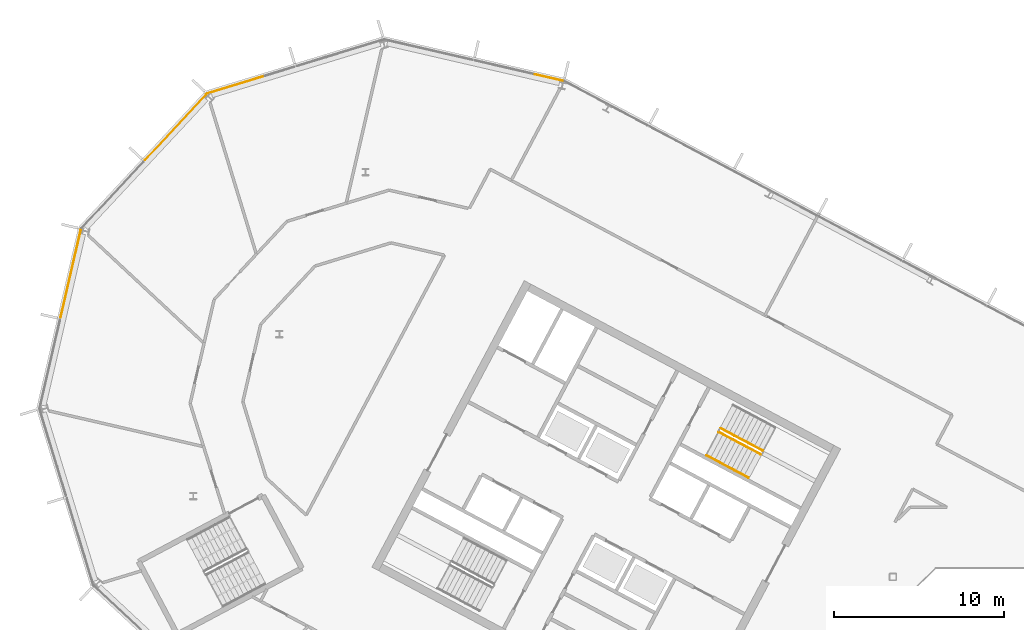
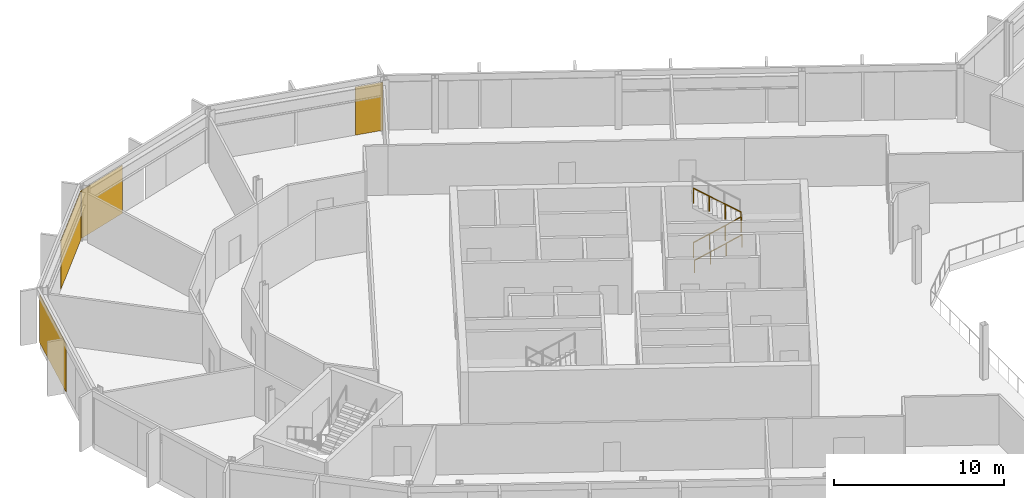
# One storey, part 24 of 30: 4 coverings, 3 railings, 4 elements without a shape of their own.
"""IFC4 building model written with IfcOpenShell, lengths in metres."""

from ifc_helpers import new_model, si_unit, direction, frame, origin, origin_2d, place, context, subcontext, project, spatial, polyline, rectangle, outline, extrude, material, layer, layer_set, type_object, element, aggregate, save


model = new_model("IFC4")

# Units and contexts
model_context = context("Model", 3, precision=1e-05, world=origin(), true_north=direction((0.0, 1.0)))
body_context = subcontext(model_context, "Body", "Model", "MODEL_VIEW")
ifc_project = project(units=[si_unit("LENGTHUNIT", "METRE"), si_unit("AREAUNIT", "SQUARE_METRE"), si_unit("VOLUMEUNIT", "CUBIC_METRE"), si_unit("PLANEANGLEUNIT", "RADIAN"), si_unit("MASSUNIT", "GRAM", prefix="KILO")], contexts=[model_context])

# Site, building, storey
site_placement = place(None, origin())
site = spatial("IfcSite", under=ifc_project, at=site_placement, CompositionType="ELEMENT")
building_placement = place(site_placement, origin())
building = spatial("IfcBuilding", under=site, at=building_placement, Name="Cormorant Relay Tower", CompositionType="ELEMENT")
storey_placement = place(building_placement, frame((0.0, 0.0, 258.0)))
storey = spatial("IfcBuildingStorey", under=building, at=storey_placement, Name="L57", CompositionType="ELEMENT", Elevation=258.0)

# Curtain wall, covering
ifc_material_1 = material(Name="Aluminium 6063-T6 anodised bronze", Category="aluminium")
ifc_layer_1 = layer(ifc_material_1, 0.199951171875)
ifc_layer_set_1 = layer_set([ifc_layer_1], Name="CW1 unitised bronze curtain wall with vertical fins")
curtain_wall_type = type_object("IfcCurtainWallType", Name="CW1 unitised bronze curtain wall with vertical fins", PredefinedType="NOTDEFINED", material=ifc_layer_set_1)
curtain_wall_1_placement = place(storey_placement, origin())
curtain_wall_1 = element("IfcCurtainWall", 1, at=curtain_wall_1_placement, inside=storey, type_object=curtain_wall_type, Name="CW1 curtain wall 10", PredefinedType="NOTDEFINED")
ifc_material_2 = material(Name="Pale bronze anodised aluminium insulated panel", Category="aluminium")
ifc_layer_2 = layer(ifc_material_2, 0.0400390625)
ifc_layer_set_2 = layer_set([ifc_layer_2], Name="CW1 pale bronze insulated panel 40")
covering_type = type_object("IfcCoveringType", Name="CW1 pale bronze insulated panel 40", PredefinedType="CLADDING", material=ifc_layer_set_2)
covering_1_placement = place(storey_placement, frame((-30.76318359375, 39.89404296875, 0.0), z_axis=(0.0, 0.0, 1.0), x_axis=(-0.974370064785, 0.224951054344, 0.0)))
covering_1 = element("IfcCovering", 2, at=covering_1_placement, type_object=covering_type, Name="CW1 panel S00", PredefinedType="CLADDING", context=body_context, shape_type="SweptSolid", body=[
    extrude(rectangle(XDim=1.685302734375, YDim=0.0400390625, at=origin_2d()), origin(), (0.0, 0.0, 1.0), 3.449951171875),
])
aggregate(curtain_wall_1, [covering_1])

curtain_wall_2_placement = place(storey_placement, origin())
curtain_wall_2 = element("IfcCurtainWall", 3, at=curtain_wall_2_placement, inside=storey, type_object=curtain_wall_type, Name="CW1 curtain wall 11", PredefinedType="NOTDEFINED")
covering_2_placement = place(storey_placement, frame((-49.16455078125, 39.474853515625, 0.0), z_axis=(0.0, 0.0, 1.0), x_axis=(-0.956304755963, -0.292371704723, 0.0)))
covering_2 = element("IfcCovering", 4, at=covering_2_placement, type_object=covering_type, Name="CW1 panel S03", PredefinedType="CLADDING", context=body_context, shape_type="SweptSolid", body=[
    extrude(rectangle(XDim=3.560302734375, YDim=0.0400390625, at=origin_2d()), origin(), (0.0, 0.0, 1.0), 3.449951171875),
])
aggregate(curtain_wall_2, [covering_2])

curtain_wall_3_placement = place(storey_placement, origin())
curtain_wall_3 = element("IfcCurtainWall", 5, at=curtain_wall_3_placement, inside=storey, type_object=curtain_wall_type, Name="CW1 curtain wall 12", PredefinedType="NOTDEFINED")
covering_3_placement = place(storey_placement, frame((-52.72900390625, 36.961181640625, 0.0), z_axis=(0.0, 0.0, 1.0), x_axis=(-0.681998360062, -0.731353701619, 0.0)))
covering_3 = element("IfcCovering", 6, at=covering_3_placement, type_object=covering_type, Name="CW1 panel S00", PredefinedType="CLADDING", context=body_context, shape_type="SweptSolid", body=[
    extrude(rectangle(XDim=5.28515625, YDim=0.0400390625, at=origin_2d()), origin(), (0.0, 0.0, 1.0), 3.449951171875),
])
aggregate(curtain_wall_3, [covering_3])

curtain_wall_4_placement = place(storey_placement, origin())
curtain_wall_4 = element("IfcCurtainWall", 7, at=curtain_wall_4_placement, inside=storey, type_object=curtain_wall_type, Name="CW1 curtain wall 13", PredefinedType="NOTDEFINED")
covering_4_placement = place(storey_placement, frame((-58.905517578125, 28.341796875, 0.0), z_axis=(0.0, 0.0, 1.0), x_axis=(-0.224951054344, -0.974370064785, 0.0)))
covering_4 = element("IfcCovering", 8, at=covering_4_placement, type_object=covering_type, Name="CW1 panel S00", PredefinedType="CLADDING", context=body_context, shape_type="SweptSolid", body=[
    extrude(rectangle(XDim=5.28515625, YDim=0.0400390625, at=origin_2d()), origin(), (0.0, 0.0, 1.0), 3.449951171875),
])
aggregate(curtain_wall_4, [covering_4])

# Railings
ifc_material_3 = material(Name="Steel ASTM A572 Grade 50 (Fy 345 MPa)", Category="steel")
railing_type_1 = type_object("IfcRailingType", Name="Stair guard 1100", PredefinedType="GUARDRAIL", material=ifc_material_3)
railing_1_placement = place(storey_placement, frame((-20.75048828125, 19.017822265625, 0.17724609375)))
element("IfcRailing", 9, at=railing_1_placement, inside=storey, type_object=railing_type_1, Name="L57 A1 stair guard 1", PredefinedType="GUARDRAIL", context=body_context, shape_type="SweptSolid", body=[
    extrude(outline(polyline([(0.022216796875, 0.00927734375), (0.00927734375, 0.022216796875), (-0.00927734375, 0.022216796875), (-0.022216796875, 0.00927734375), (-0.022216796875, -0.00927734375), (-0.00927734375, -0.022216796875), (0.00927734375, -0.022216796875), (0.022216796875, -0.00927734375), (0.022216796875, 0.00927734375)])), frame((0.0, 0.0, 1.076171875), z_axis=(0.746001213114, -0.396649272309, 0.534931345884), x_axis=(0.469465464807, 0.882950835185, 0.0)), (0.0, 0.0, 1.0), 3.31396484375),
    extrude(outline(polyline([(0.019287109375, 0.008056640625), (0.008056640625, 0.019287109375), (-0.008056640625, 0.019287109375), (-0.019287109375, 0.008056640625), (-0.019287109375, -0.008056640625), (-0.008056640625, -0.019287109375), (0.008056640625, -0.019287109375), (0.019287109375, -0.008056640625), (0.019287109375, 0.008056640625)])), origin(), (0.0, 0.0, 1.0), 1.052001953125),
    extrude(outline(polyline([(0.019287109375, 0.008056640625), (0.008056640625, 0.019287109375), (-0.008056640625, 0.019287109375), (-0.019287109375, 0.008056640625), (-0.019287109375, -0.008056640625), (-0.008056640625, -0.019287109375), (0.008056640625, -0.019287109375), (0.019287109375, -0.008056640625), (0.019287109375, 0.008056640625)])), frame((0.823974609375, -0.438232421875, 0.5908203125)), (0.0, 0.0, 1.0), 1.052001953125),
    extrude(outline(polyline([(0.019287109375, 0.008056640625), (0.008056640625, 0.019287109375), (-0.008056640625, 0.019287109375), (-0.019287109375, 0.008056640625), (-0.019287109375, -0.008056640625), (-0.008056640625, -0.019287109375), (0.008056640625, -0.019287109375), (0.019287109375, -0.008056640625), (0.019287109375, 0.008056640625)])), frame((1.648193359375, -0.876220703125, 1.181884765625)), (0.0, 0.0, 1.0), 1.052001953125),
    extrude(outline(polyline([(0.019287109375, 0.008056640625), (0.008056640625, 0.019287109375), (-0.008056640625, 0.019287109375), (-0.019287109375, 0.008056640625), (-0.019287109375, -0.008056640625), (-0.008056640625, -0.019287109375), (0.008056640625, -0.019287109375), (0.019287109375, -0.008056640625), (0.019287109375, 0.008056640625)])), frame((2.47216796875, -1.314453125, 1.772705078125)), (0.0, 0.0, 1.0), 1.052001953125),
])
railing_2_placement = place(storey_placement, frame((-18.160888671875, 17.924072265625, 2.127197265625)))
element("IfcRailing", 10, at=railing_2_placement, inside=storey, type_object=railing_type_1, Name="L57 A1 stair guard 3", PredefinedType="GUARDRAIL", context=body_context, shape_type="SweptSolid", body=[
    extrude(outline(polyline([(0.022216796875, 0.00927734375), (0.00927734375, 0.022216796875), (-0.00927734375, 0.022216796875), (-0.022216796875, 0.00927734375), (-0.022216796875, -0.00927734375), (-0.00927734375, -0.022216796875), (0.00927734375, -0.022216796875), (0.022216796875, -0.00927734375), (0.022216796875, 0.00927734375)])), frame((0.0, 0.0, 1.076171875), z_axis=(-0.746033882577, 0.396627473466, 0.534901947407), x_axis=(-0.469429322983, -0.882970050864, 0.0)), (0.0, 0.0, 1.0), 3.31396484375),
    extrude(outline(polyline([(0.019287109375, 0.008056640625), (0.008056640625, 0.019287109375), (-0.008056640625, 0.019287109375), (-0.019287109375, 0.008056640625), (-0.019287109375, -0.008056640625), (-0.008056640625, -0.019287109375), (0.008056640625, -0.019287109375), (0.019287109375, -0.008056640625), (0.019287109375, 0.008056640625)])), origin(), (0.0, 0.0, 1.0), 1.052001953125),
    extrude(outline(polyline([(0.019287109375, 0.008056640625), (0.008056640625, 0.019287109375), (-0.008056640625, 0.019287109375), (-0.019287109375, 0.008056640625), (-0.019287109375, -0.008056640625), (-0.008056640625, -0.019287109375), (0.008056640625, -0.019287109375), (0.019287109375, -0.008056640625), (0.019287109375, 0.008056640625)])), frame((-0.82421875, 0.438232421875, 0.5908203125)), (0.0, 0.0, 1.0), 1.052001953125),
    extrude(outline(polyline([(0.019287109375, 0.008056640625), (0.008056640625, 0.019287109375), (-0.008056640625, 0.019287109375), (-0.019287109375, 0.008056640625), (-0.019287109375, -0.008056640625), (-0.008056640625, -0.019287109375), (0.008056640625, -0.019287109375), (0.019287109375, -0.008056640625), (0.019287109375, 0.008056640625)])), frame((-1.648193359375, 0.876220703125, 1.181884765625)), (0.0, 0.0, 1.0), 1.052001953125),
    extrude(outline(polyline([(0.019287109375, 0.008056640625), (0.008056640625, 0.019287109375), (-0.008056640625, 0.019287109375), (-0.019287109375, 0.008056640625), (-0.019287109375, -0.008056640625), (-0.008056640625, -0.019287109375), (0.008056640625, -0.019287109375), (0.019287109375, -0.008056640625), (0.019287109375, 0.008056640625)])), frame((-2.472412109375, 1.314453125, 1.772705078125)), (0.0, 0.0, 1.0), 1.052001953125),
])
ifc_material_4 = material(Name="Steel ASTM A572 Grade 50 (Fy 345 MPa)", Category="steel")
railing_type_2 = type_object("IfcRailingType", Name="Stair handrail 900", PredefinedType="HANDRAIL", material=ifc_material_4)
railing_3_placement = place(storey_placement, frame((-21.478271484375, 17.6494140625, 0.17724609375)))
element("IfcRailing", 11, at=railing_3_placement, inside=storey, type_object=railing_type_2, Name="L57 A1 stair handrail 1", PredefinedType="HANDRAIL", context=body_context, shape_type="SweptSolid", body=[
    extrude(outline(polyline([(0.022216796875, 0.00927734375), (0.00927734375, 0.022216796875), (-0.00927734375, 0.022216796875), (-0.022216796875, 0.00927734375), (-0.022216796875, -0.00927734375), (-0.00927734375, -0.022216796875), (0.00927734375, -0.022216796875), (0.022216796875, -0.00927734375), (0.022216796875, 0.00927734375)])), frame((0.0, 0.0, 0.8759765625), z_axis=(0.746012083385, -0.396689549623, 0.534886317514), x_axis=(0.469497295046, 0.882933910293, 0.0)), (0.0, 0.0, 1.0), 3.314208984375),
    extrude(outline(polyline([(0.019287109375, 0.008056640625), (0.008056640625, 0.019287109375), (-0.008056640625, 0.019287109375), (-0.019287109375, 0.008056640625), (-0.019287109375, -0.008056640625), (-0.008056640625, -0.019287109375), (0.008056640625, -0.019287109375), (0.019287109375, -0.008056640625), (0.019287109375, 0.008056640625)])), origin(), (0.0, 0.0, 1.0), 0.851806640625),
    extrude(outline(polyline([(0.019287109375, 0.008056640625), (0.008056640625, 0.019287109375), (-0.008056640625, 0.019287109375), (-0.019287109375, 0.008056640625), (-0.019287109375, -0.008056640625), (-0.008056640625, -0.019287109375), (0.008056640625, -0.019287109375), (0.019287109375, -0.008056640625), (0.019287109375, 0.008056640625)])), frame((0.82421875, -0.438232421875, 0.5908203125)), (0.0, 0.0, 1.0), 0.851806640625),
    extrude(outline(polyline([(0.019287109375, 0.008056640625), (0.008056640625, 0.019287109375), (-0.008056640625, 0.019287109375), (-0.019287109375, 0.008056640625), (-0.019287109375, -0.008056640625), (-0.008056640625, -0.019287109375), (0.008056640625, -0.019287109375), (0.019287109375, -0.008056640625), (0.019287109375, 0.008056640625)])), frame((1.648193359375, -0.87646484375, 1.181884765625)), (0.0, 0.0, 1.0), 0.851806640625),
    extrude(outline(polyline([(0.019287109375, 0.008056640625), (0.008056640625, 0.019287109375), (-0.008056640625, 0.019287109375), (-0.019287109375, 0.008056640625), (-0.019287109375, -0.008056640625), (-0.008056640625, -0.019287109375), (0.008056640625, -0.019287109375), (0.019287109375, -0.008056640625), (0.019287109375, 0.008056640625)])), frame((2.472412109375, -1.314697265625, 1.772705078125)), (0.0, 0.0, 1.0), 0.851806640625),
])

save(model, "model.ifc")
